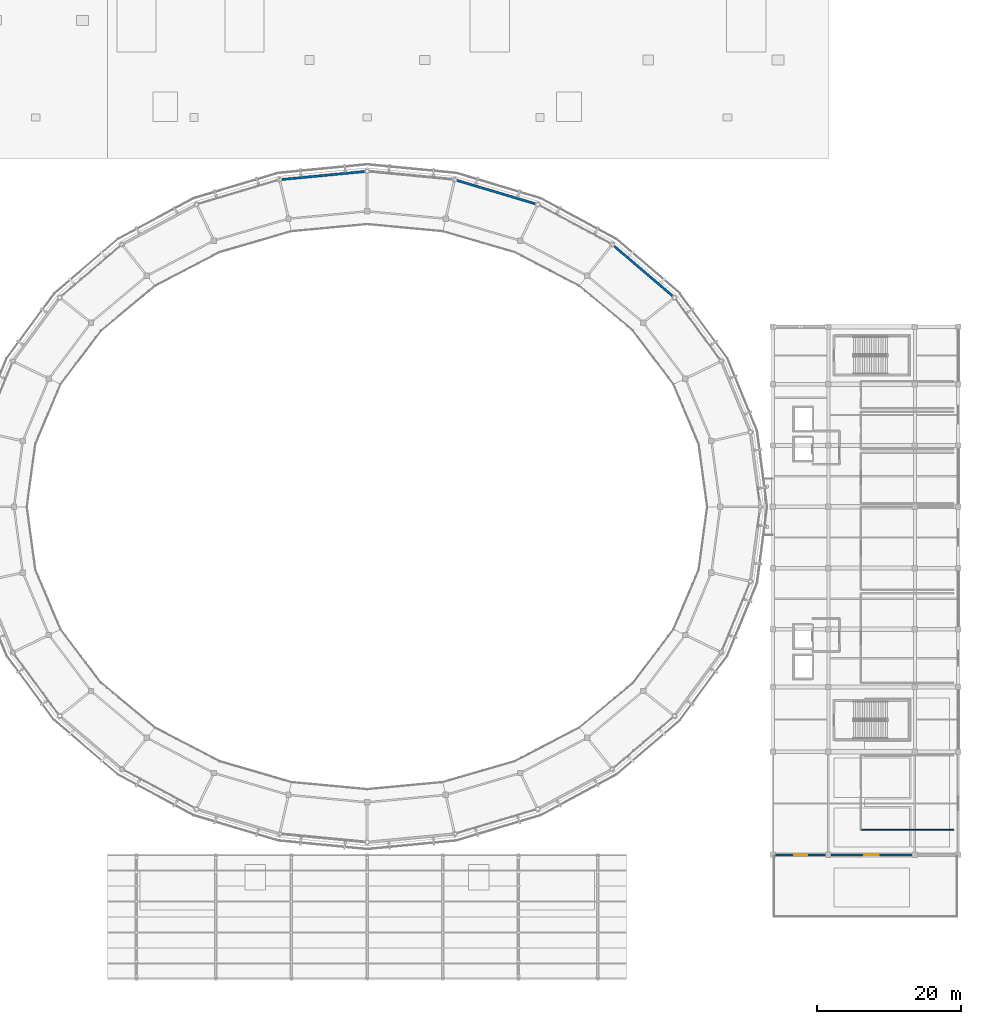
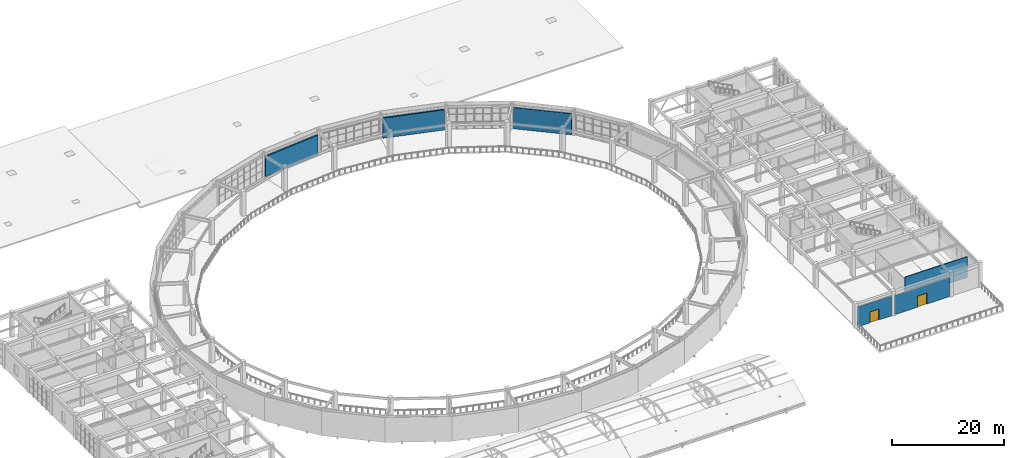
# One storey, part 56 of 70: 6 walls, 2 doors, 2 openings.
"""IFC4 building model written with IfcOpenShell, lengths in metres."""

import ifcopenshell
import ifcopenshell.guid

model = None  # the IFC model being written
_history = None  # IfcOwnerHistory: only IFC2X3 demands one
_inside = {}  # id of a spatial element -> (the spatial element, [elements in it])
_under = {}  # id of a project, library or spatial element -> (it, [spatial elements below it])
_declared = {}  # id of a project -> (the project, [libraries it declares])
_typed = {}  # id of a type object -> (the type object, [elements of that type])
_made_of = {}  # id of a material, layer set ... -> (it, [elements and type objects made of it])


def new_model(schema):
    """Start an empty IFC model of exactly this schema.

    Asked for "IFC4X3", IfcOpenShell would pick the latest addendum, in which some entities
    have other attributes; the version numbers below select the first issue.
    IFC2X3 requires an IfcOwnerHistory on every rooted entity: one is made here for all.
    """
    global model, _history
    if schema == "IFC4X3":
        model = ifcopenshell.file(schema_version=(4, 3, 0, 0))
    else:
        model = ifcopenshell.file(schema=schema)
    _inside.clear()
    _under.clear()
    _declared.clear()
    _typed.clear()
    _made_of.clear()
    _history = None
    if model.schema == "IFC2X3":
        org = make("IfcOrganization", Name="unknown")
        user = make(
            "IfcPersonAndOrganization",
            ThePerson=make("IfcPerson", FamilyName="unknown"),
            TheOrganization=org,
        )
        app = make(
            "IfcApplication",
            ApplicationDeveloper=org,
            Version="unknown",
            ApplicationFullName="unknown",
            ApplicationIdentifier="unknown",
        )
        _history = make(
            "IfcOwnerHistory",
            OwningUser=user,
            OwningApplication=app,
            ChangeAction="ADDED",
            CreationDate=0,
        )
    return model


def make(cls, **values):
    """One entity of the class cls with the attributes given. An attribute that is None is left unset."""
    return model.create_entity(
        cls, **{name: value for name, value in values.items() if value is not None}
    )


def rooted(cls, **values):
    """An entity with a GlobalId (a new one), such as an element, a storey or a relation."""
    return make(cls, GlobalId=ifcopenshell.guid.new(), OwnerHistory=_history, **values)


def si_unit(unit_type, name, prefix=None):
    """IfcSIUnit, for example si_unit("LENGTHUNIT", "METRE", prefix="MILLI")."""
    return make("IfcSIUnit", UnitType=unit_type, Prefix=prefix, Name=name)


def assignment(units):
    """IfcUnitAssignment: the units of a project."""
    return None if units is None else make("IfcUnitAssignment", Units=units)


def point(xyz):
    """IfcCartesianPoint."""
    return None if xyz is None else make("IfcCartesianPoint", Coordinates=xyz)


def direction(xyz):
    """IfcDirection."""
    return None if xyz is None else make("IfcDirection", DirectionRatios=xyz)


def frame(location, z_axis=None, x_axis=None):
    """IfcAxis2Placement3D, a coordinate frame: its origin and axes. An axis left out is left unset."""
    return make(
        "IfcAxis2Placement3D",
        Location=point(location),
        Axis=direction(z_axis),
        RefDirection=direction(x_axis),
    )


def frame_2d(location, x_axis=None):
    """IfcAxis2Placement2D, a coordinate frame in the plane: its origin and x axis."""
    return make(
        "IfcAxis2Placement2D", Location=point(location), RefDirection=direction(x_axis)
    )


def origin():
    """The frame at (0, 0, 0) with its axes left unset."""
    return frame((0.0, 0.0, 0.0))


def place(relative_to, where):
    """IfcLocalPlacement: puts the frame where relative to a parent placement (None: the world)."""
    return make(
        "IfcLocalPlacement", PlacementRelTo=relative_to, RelativePlacement=where
    )


def context(
    kind, dimensions, precision=None, world=None, true_north=None, identifier=None
):
    """IfcGeometricRepresentationContext, for example the 3D "Model" context."""
    return make(
        "IfcGeometricRepresentationContext",
        ContextIdentifier=identifier,
        ContextType=kind,
        CoordinateSpaceDimension=dimensions,
        Precision=precision,
        WorldCoordinateSystem=world,
        TrueNorth=true_north,
    )


def subcontext(parent, identifier, kind, view, scale=None):
    """IfcGeometricRepresentationSubContext, for example "Body" below "Model"."""
    return make(
        "IfcGeometricRepresentationSubContext",
        ContextIdentifier=identifier,
        ContextType=kind,
        ParentContext=parent,
        TargetScale=scale,
        TargetView=view,
    )


def project(units=None, contexts=None):
    """IfcProject with its units and contexts."""
    return rooted(
        "IfcProject",
        Name="project",
        RepresentationContexts=contexts,
        UnitsInContext=assignment(units),
    )


def spatial(cls, under=None, at=None, **own):
    """A site, building, storey or space (cls), placed at a placement, below another one or the project."""
    s = rooted(cls, ObjectPlacement=at, **own)
    if under is not None:
        _under.setdefault(under.id(), (under, []))[1].append(s)
    return s


def profile(cls, at=None, kind="AREA", **sizes):
    """A parametric profile (cls). Its sizes go by their IFC names, for example OverallWidth=200.0."""
    return make(cls, ProfileType=kind, Position=at, **sizes)


def rectangle(**sizes):
    """IfcRectangleProfileDef."""
    return profile("IfcRectangleProfileDef", **sizes)


def extrude(swept, where, along, depth):
    """IfcExtrudedAreaSolid: the profile swept, set in the frame where, extruded along a direction by depth."""
    return make(
        "IfcExtrudedAreaSolid",
        SweptArea=swept,
        Position=where,
        ExtrudedDirection=direction(along),
        Depth=depth,
    )


def shape(context_of_items, identifier, shape_type, items):
    """IfcShapeRepresentation: the items that make up one representation, for example the "Body"."""
    return make(
        "IfcShapeRepresentation",
        ContextOfItems=context_of_items,
        RepresentationIdentifier=identifier,
        RepresentationType=shape_type,
        Items=items,
    )


def material(Name=None, Category=None):
    """IfcMaterial."""
    return make("IfcMaterial", Name=Name, Category=Category)


def layer(
    of_material, thickness, ventilated=None, Name=None, Category=None, Priority=None
):
    """IfcMaterialLayer: one layer of a wall or slab, of a material (None: an air gap)."""
    return make(
        "IfcMaterialLayer",
        Material=of_material,
        LayerThickness=thickness,
        IsVentilated=ventilated,
        Name=Name,
        Category=Category,
        Priority=Priority,
    )


def layer_set(layers, Name=None):
    """IfcMaterialLayerSet."""
    return make("IfcMaterialLayerSet", MaterialLayers=layers, LayerSetName=Name)


def made_of(thing, what):
    """Note that an element or type object is made of a material, layer set ...; save() writes the relation."""
    if what is not None:
        _made_of.setdefault(what.id(), (what, []))[1].append(thing)
    return thing


def type_object(cls, material=None, **own):
    """A type object (cls), such as IfcWallType, which elements share."""
    return made_of(rooted(cls, **own), material)


def element(
    cls,
    number,
    at=None,
    inside=None,
    cuts=None,
    type_object=None,
    material=None,
    context=None,
    identifier="Body",
    shape_type=None,
    held_by="IfcProductDefinitionShape",
    body=None,
    shapes=None,
    **own,
):
    """One element of the class cls, such as IfcWall. Its Tag is "e" and its number.

    at: its placement. inside: the storey or other place that contains it. cuts: it is an
    opening in that element (IfcRelVoidsElement). A single representation is given by context,
    identifier, shape_type and body (its items); several are given by shapes. held_by: the class
    of the entity that holds the representations. save() writes the other relations.
    """
    e = rooted(cls, Tag="e%d" % number, ObjectPlacement=at, **own)
    if body is not None:
        shapes = [shape(context, identifier, shape_type, body)]
    if shapes is not None:
        e.Representation = make(held_by, Representations=shapes)
    if inside is not None:
        _inside.setdefault(inside.id(), (inside, []))[1].append(e)
    if cuts is not None:
        rooted(
            "IfcRelVoidsElement", RelatingBuildingElement=cuts, RelatedOpeningElement=e
        )
    if type_object is not None:
        _typed.setdefault(type_object.id(), (type_object, []))[1].append(e)
    return made_of(e, material)


def fill(opening, filler):
    """IfcRelFillsElement: the door or window that sits in an opening."""
    return rooted(
        "IfcRelFillsElement",
        RelatingOpeningElement=opening,
        RelatedBuildingElement=filler,
    )


def aggregate(whole, parts):
    """IfcRelAggregates: a whole, such as a stair, and the parts it consists of."""
    return rooted("IfcRelAggregates", RelatingObject=whole, RelatedObjects=parts)


def save(model, path):
    """Write the relations noted so far, then the file.

    IfcRelAggregates (storeys below a building ...), IfcRelContainedInSpatialStructure (elements
    in a storey), IfcRelDefinesByType, IfcRelAssociatesMaterial and IfcRelDeclares: one each for
    every whole, place, type object, material and project.
    """
    for whole, parts in _under.values():
        aggregate(whole, parts)
    for where, things in _inside.values():
        rooted(
            "IfcRelContainedInSpatialStructure",
            RelatedElements=things,
            RelatingStructure=where,
        )
    for kind, things in _typed.values():
        rooted("IfcRelDefinesByType", RelatedObjects=things, RelatingType=kind)
    for what, things in _made_of.values():
        rooted("IfcRelAssociatesMaterial", RelatedObjects=things, RelatingMaterial=what)
    for by, libraries in _declared.values():
        rooted("IfcRelDeclares", RelatingContext=by, RelatedDefinitions=libraries)
    model.write(path)


model = new_model("IFC4")

# Units and contexts
model_context = context("Model", 3, precision=1e-05, world=origin(), true_north=direction((0.0, 1.0)))
body_context = subcontext(model_context, "Body", "Model", "MODEL_VIEW")
ifc_project = project(units=[si_unit("LENGTHUNIT", "METRE"), si_unit("AREAUNIT", "SQUARE_METRE"), si_unit("VOLUMEUNIT", "CUBIC_METRE"), si_unit("PLANEANGLEUNIT", "RADIAN"), si_unit("MASSUNIT", "GRAM", prefix="KILO")], contexts=[model_context])

# Site, building, storey
site_placement = place(None, origin())
site = spatial("IfcSite", under=ifc_project, at=site_placement, CompositionType="ELEMENT")
building_placement = place(site_placement, origin())
building = spatial("IfcBuilding", under=site, at=building_placement, Name="Cuetzalor Civic Arena", CompositionType="ELEMENT")
storey_placement = place(building_placement, frame((0.0, 0.0, 21.0)))
storey = spatial("IfcBuildingStorey", under=building, at=storey_placement, Name="L04", CompositionType="ELEMENT", Elevation=21.0)

# Walls
ifc_material_1 = material(Name="Acoustic steel-stud gypsum partition", Category="steel")
ifc_layer_1 = layer(ifc_material_1, 0.14990234375)
ifc_layer_set_1 = layer_set([ifc_layer_1], Name="Acoustic steel-stud gypsum partition")
wall_type_1 = type_object("IfcWallType", Name="AcousticGypsumPartition_150", PredefinedType="PARTITIONING", material=ifc_layer_set_1)
wall_1_placement = place(storey_placement, frame((81.39990234375, -44.800048828125, 0.0), z_axis=(0.0, 0.0, 1.0), x_axis=(-1.0, 0.0, 0.0)))
element("IfcWall", 1, at=wall_1_placement, inside=storey, type_object=wall_type_1, Name="Interior Partition IWALL:L04:0539", PredefinedType="PARTITIONING", context=body_context, shape_type="SweptSolid", body=[
    extrude(rectangle(XDim=12.89990234375, YDim=0.14990234375, at=frame_2d((6.449951171875, 0.0))), origin(), (0.0, 0.0, 1.0), 4.56201171875),
])
ifc_material_2 = material(Name="Precast concrete C40/50 insulated cladding", Category="concrete")
ifc_layer_2 = layer(ifc_material_2, 0.320068359375)
ifc_layer_set_2 = layer_set([ifc_layer_2], Name="Precast concrete C40/50 insulated cladding")
wall_type_2 = type_object("IfcWallType", Name="InsulatedPrecastWall_320", PredefinedType="SOLIDWALL", material=ifc_layer_set_2)
wall_2_placement = place(storey_placement, frame((34.32470703125, 36.126953125, 0.0), z_axis=(0.0, 0.0, 1.0), x_axis=(0.760681761173, -0.649124994296, 0.0)))
element("IfcWall", 2, at=wall_2_placement, inside=storey, type_object=wall_type_2, Name="Drum Acoustic Backing Wall L04-059", PredefinedType="SOLIDWALL", context=body_context, shape_type="SweptSolid", body=[
    extrude(rectangle(XDim=10.531005859375, YDim=0.320068359375, at=frame_2d((5.265625, 0.0))), origin(), (0.0, 0.0, 1.0), 4.653076171875),
])
wall_3_placement = place(storey_placement, frame((12.48486328125, 45.279541015625, 0.0), z_axis=(0.0, 0.0, 1.0), x_axis=(0.958192076012, -0.286125751144, 0.0)))
element("IfcWall", 3, at=wall_3_placement, inside=storey, type_object=wall_type_2, Name="Drum Acoustic Backing Wall L04-060", PredefinedType="SOLIDWALL", context=body_context, shape_type="SweptSolid", body=[
    extrude(rectangle(XDim=11.31005859375, YDim=0.320068359375, at=frame_2d((5.655029296875, 0.0))), origin(), (0.0, 0.0, 1.0), 4.431884765625),
])
wall_4_placement = place(storey_placement, frame((-11.8251953125, 45.4130859375, 0.0), z_axis=(0.0, 0.0, 1.0), x_axis=(0.995408913067, 0.095713613383, 0.0)))
element("IfcWall", 4, at=wall_4_placement, inside=storey, type_object=wall_type_2, Name="Drum Acoustic Backing Wall L04-061", PredefinedType="SOLIDWALL", context=body_context, shape_type="SweptSolid", body=[
    extrude(rectangle(XDim=11.56494140625, YDim=0.320068359375, at=frame_2d((5.782470703125, 0.0))), origin(), (0.0, 0.0, 1.0), 4.431884765625),
])

# Wall, opening, door
wall_5_placement = place(storey_placement, frame((63.64306640625, -48.300048828125, 0.0), z_axis=(0.0, 0.0, 1.0), x_axis=(-1.0, 0.0, 0.0)))
wall_5 = element("IfcWall", 5, at=wall_5_placement, inside=storey, type_object=wall_type_2, Name="V4E L04 Roof Garden Access Wall L04-184", PredefinedType="SOLIDWALL", context=body_context, shape_type="SweptSolid", body=[
    extrude(rectangle(XDim=6.986083984375, YDim=0.320068359375, at=frame_2d((3.4931640625, 0.0))), origin(), (0.0, 0.0, 1.0), 4.360107421875),
])
opening_1_placement = place(wall_5_placement, frame((2.593017578125, 0.0, 0.0)))
opening_1 = element("IfcOpeningElement", 6, at=opening_1_placement, cuts=wall_5, Name="Opening ED-09", PredefinedType="OPENING", context=body_context, shape_type="SweptSolid", body=[
    extrude(rectangle(XDim=1.800048828125, YDim=2.39990234375, at=frame_2d((0.89990234375, 1.199951171875))), frame((0.0, 0.169921875, 0.0), z_axis=(0.0, -1.0, 0.0), x_axis=(1.0, 0.0, 0.0)), (0.0, 0.0, 1.0), 0.340087890625),
])
ifc_material_3 = material(Name="Thermally broken bronze steel and laminated glass", Category="steel")
door_type_1 = type_object("IfcDoorType", Name="RoofGardenGlazedDoor_1800x2400", OperationType="DOUBLE_DOOR_SINGLE_SWING", PredefinedType="DOOR", material=ifc_material_3)
door_1_placement = place(opening_1_placement, origin())
door_1 = element("IfcDoor", 7, at=door_1_placement, inside=storey, type_object=door_type_1, Name="Glazed Door to Planted Roof Garden V4E L04-1", OperationType="DOUBLE_DOOR_SINGLE_SWING", OverallHeight=2.39990234375, OverallWidth=1.800048828125, PredefinedType="DOOR", context=body_context, shape_type="SweptSolid", body=[
    extrude(rectangle(XDim=1.800048828125, YDim=2.39990234375, at=frame_2d((0.89990234375, 1.199951171875))), frame((0.0, 0.02490234375, 0.0), z_axis=(0.0, -1.0, 0.0), x_axis=(1.0, 0.0, 0.0)), (0.0, 0.0, 1.0), 0.050048828125),
])
fill(opening_1, door_1)

wall_6_placement = place(storey_placement, frame((75.64306640625, -48.300048828125, 0.0), z_axis=(0.0, 0.0, 1.0), x_axis=(-1.0, 0.0, 0.0)))
wall_6 = element("IfcWall", 8, at=wall_6_placement, inside=storey, type_object=wall_type_2, Name="V4E L04 Roof Garden Access Wall L04-185", PredefinedType="SOLIDWALL", context=body_context, shape_type="SweptSolid", body=[
    extrude(rectangle(XDim=11.2861328125, YDim=0.320068359375, at=frame_2d((5.64306640625, 0.0))), origin(), (0.0, 0.0, 1.0), 4.159912109375),
])
opening_2_placement = place(wall_6_placement, frame((4.64306640625, 0.0, 0.0)))
opening_2 = element("IfcOpeningElement", 9, at=opening_2_placement, cuts=wall_6, Name="Opening ED-10", PredefinedType="OPENING", context=body_context, shape_type="SweptSolid", body=[
    extrude(rectangle(XDim=2.0, YDim=2.39990234375, at=frame_2d((1.0, 1.199951171875))), frame((0.0, 0.169921875, 0.0), z_axis=(0.0, -1.0, 0.0), x_axis=(1.0, 0.0, 0.0)), (0.0, 0.0, 1.0), 0.340087890625),
])
ifc_material_4 = material(Name="Thermally broken bronze steel and laminated glass", Category="steel")
door_type_2 = type_object("IfcDoorType", Name="RoofGardenGlazedDoor_2000x2400", OperationType="DOUBLE_DOOR_SINGLE_SWING", PredefinedType="DOOR", material=ifc_material_4)
door_2_placement = place(opening_2_placement, origin())
door_2 = element("IfcDoor", 10, at=door_2_placement, inside=storey, type_object=door_type_2, Name="Glazed Door to Planted Roof Garden V4E L04-2", OperationType="DOUBLE_DOOR_SINGLE_SWING", OverallHeight=2.39990234375, OverallWidth=2.0, PredefinedType="DOOR", context=body_context, shape_type="SweptSolid", body=[
    extrude(rectangle(XDim=2.0, YDim=2.39990234375, at=frame_2d((1.0, 1.199951171875))), frame((0.0, 0.02490234375, 0.0), z_axis=(0.0, -1.0, 0.0), x_axis=(1.0, 0.0, 0.0)), (0.0, 0.0, 1.0), 0.050048828125),
])
fill(opening_2, door_2)

save(model, "model.ifc")
